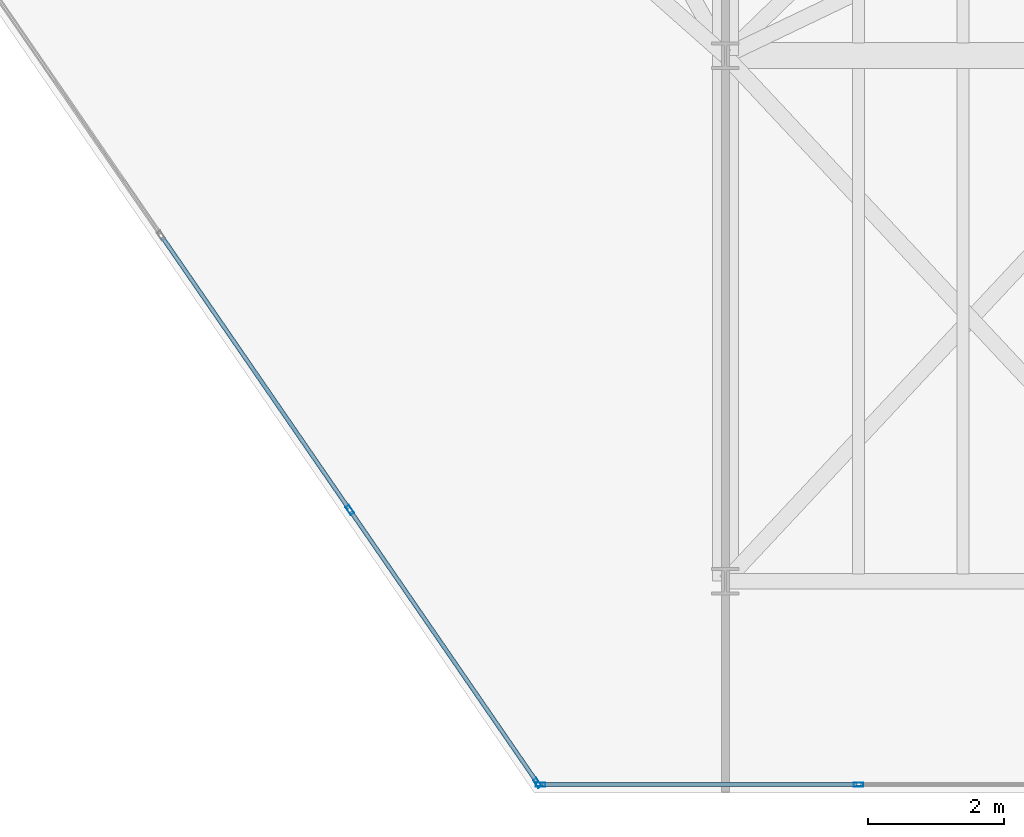
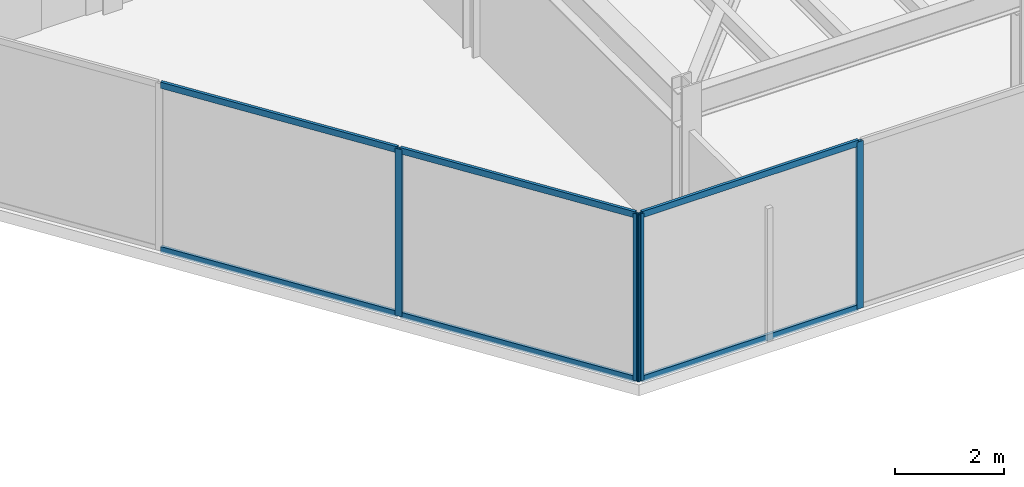
# One storey, part 10 of 21: 10 members, 2 elements without a shape of their own.
"""IFC4 building model written with IfcOpenShell, lengths in metres."""

from ifc_helpers import new_model, si_unit, direction, frame, origin, origin_2d, place, context, subcontext, project, spatial, hollow_rectangle, extrude, material, layer, layer_set, material_profile, profile_set, type_object, element, aggregate, save


model = new_model("IFC4")

# Units and contexts
model_context = context("Model", 3, precision=1e-05, world=origin(), true_north=direction((0.0, 1.0)))
body_context = subcontext(model_context, "Body", "Model", "MODEL_VIEW")
ifc_project = project(units=[si_unit("LENGTHUNIT", "METRE"), si_unit("AREAUNIT", "SQUARE_METRE"), si_unit("VOLUMEUNIT", "CUBIC_METRE"), si_unit("PLANEANGLEUNIT", "RADIAN"), si_unit("MASSUNIT", "GRAM", prefix="KILO")], contexts=[model_context])

# Site, building, storey
site_placement = place(None, origin())
site = spatial("IfcSite", under=ifc_project, at=site_placement, CompositionType="ELEMENT")
building_placement = place(site_placement, origin())
building = spatial("IfcBuilding", under=site, at=building_placement, Name="Kravanh Interchange Tower", CompositionType="ELEMENT")
storey_placement = place(building_placement, frame((0.0, 0.0, 208.5)))
storey = spatial("IfcBuildingStorey", under=building, at=storey_placement, Name="L50", CompositionType="ELEMENT", Elevation=208.5)

# Curtain wall, members
ifc_material_1 = material(Name="Anodised Bronze Aluminium", Category="aluminium")
ifc_layer = layer(ifc_material_1, 0.179931640625)
ifc_layer_set = layer_set([ifc_layer], Name="Unitised Curtain Wall System CW-Z3 Upper Office")
curtain_wall_type = type_object("IfcCurtainWallType", Name="Unitised Curtain Wall System CW-Z3 Upper Office", PredefinedType="NOTDEFINED", material=ifc_layer_set)
curtain_wall_1_placement = place(storey_placement, origin())
curtain_wall_1 = element("IfcCurtainWall", 1, at=curtain_wall_1_placement, inside=storey, type_object=curtain_wall_type, Name="L50 Unitised Curtain Wall CW-L50-02", PredefinedType="NOTDEFINED")
ifc_material_2 = material(Name="Anodised Bronze Aluminium", Category="aluminium")
ifc_material_profile_1 = material_profile(ifc_material_2, hollow_rectangle(XDim=0.06005859375, YDim=0.139892578125, WallThickness=0.00390625, at=origin_2d()), Name="ALU60X140X4")
ifc_profile_set_1 = profile_set([ifc_material_profile_1], Name="Anodised Bronze Aluminium")
member_type_1 = type_object("IfcMemberType", Name="Curtain Wall Mullion ALU60X140X4 Bronze", PredefinedType="MULLION", material=ifc_profile_set_1)
member_1_placement = place(storey_placement, frame((57.9521484375, 11.52001953125, 0.0), z_axis=(0.0, 0.0, 1.0), x_axis=(0.0, -1.0, 0.0)))
member_1 = element("IfcMember", 2, at=member_1_placement, type_object=member_type_1, Name="CW-Z3 mullion 2", PredefinedType="MULLION", context=body_context, shape_type="SweptSolid", body=[
    extrude(hollow_rectangle(XDim=0.06005859375, YDim=0.139892578125, WallThickness=0.00390625, at=origin_2d()), origin(), (0.0, 0.0, 1.0), 3.7548828125),
])
member_2_placement = place(storey_placement, frame((53.293212890625, 11.52001953125, 0.0), z_axis=(0.0, 0.0, 1.0), x_axis=(0.0, -1.0, 0.0)))
member_2 = element("IfcMember", 3, at=member_2_placement, type_object=member_type_1, Name="CW-Z3 mullion 3", PredefinedType="MULLION", context=body_context, shape_type="SweptSolid", body=[
    extrude(hollow_rectangle(XDim=0.06005859375, YDim=0.139892578125, WallThickness=0.00390625, at=origin_2d()), origin(), (0.0, 0.0, 1.0), 3.7548828125),
])

curtain_wall_2_placement = place(storey_placement, origin())
curtain_wall_2 = element("IfcCurtainWall", 4, at=curtain_wall_2_placement, inside=storey, type_object=curtain_wall_type, Name="L50 Unitised Curtain Wall CW-L50-03", PredefinedType="NOTDEFINED")
member_3_placement = place(storey_placement, frame((53.24609375, 11.544677734375, 0.0), z_axis=(0.0, 0.0, 1.0), x_axis=(-0.824042223035, -0.566528388217, 0.0)))
member_3 = element("IfcMember", 5, at=member_3_placement, type_object=member_type_1, Name="CW-Z3 mullion 1", PredefinedType="MULLION", context=body_context, shape_type="SweptSolid", body=[
    extrude(hollow_rectangle(XDim=0.06005859375, YDim=0.139892578125, WallThickness=0.00390625, at=origin_2d()), origin(), (0.0, 0.0, 1.0), 3.7548828125),
])
member_4_placement = place(storey_placement, frame((50.497314453125, 15.54296875, 0.0), z_axis=(0.0, 0.0, 1.0), x_axis=(-0.824042223035, -0.566528388217, 0.0)))
member_4 = element("IfcMember", 6, at=member_4_placement, type_object=member_type_1, Name="CW-Z3 mullion 2", PredefinedType="MULLION", context=body_context, shape_type="SweptSolid", body=[
    extrude(hollow_rectangle(XDim=0.06005859375, YDim=0.139892578125, WallThickness=0.00390625, at=origin_2d()), origin(), (0.0, 0.0, 1.0), 3.7548828125),
])

# Member
ifc_material_3 = material(Name="Anodised Bronze Aluminium", Category="aluminium")
ifc_material_profile_2 = material_profile(ifc_material_3, hollow_rectangle(XDim=0.06005859375, YDim=0.139892578125, WallThickness=0.00390625, at=origin_2d()), Name="ALU60X140X4")
ifc_profile_set_2 = profile_set([ifc_material_profile_2], Name="Anodised Bronze Aluminium")
member_type_2 = type_object("IfcMemberType", Name="Curtain Wall Transom ALU60X140X4 Bronze", PredefinedType="USERDEFINED", material=ifc_profile_set_2)
member_5_placement = place(storey_placement, frame((57.922119140625, 11.52001953125, 0.030029296875), z_axis=(-1.0, 0.0, 0.0), x_axis=(0.0, -1.0, 0.0)))
member_5 = element("IfcMember", 7, at=member_5_placement, type_object=member_type_2, Name="CW-Z3 transom 2.1", ObjectType="TRANSOM", PredefinedType="USERDEFINED", context=body_context, shape_type="SweptSolid", body=[
    extrude(hollow_rectangle(XDim=0.06005859375, YDim=0.139892578125, WallThickness=0.00390625, at=origin_2d()), origin(), (0.0, 0.0, 1.0), 4.59912109375),
])

member_6_placement = place(storey_placement, frame((57.922119140625, 11.52001953125, 3.72509765625), z_axis=(-1.0, 0.0, 0.0), x_axis=(0.0, -1.0, 0.0)))
member_6 = element("IfcMember", 8, at=member_6_placement, type_object=member_type_2, Name="CW-Z3 transom 2.2", ObjectType="TRANSOM", PredefinedType="USERDEFINED", context=body_context, shape_type="SweptSolid", body=[
    extrude(hollow_rectangle(XDim=0.06005859375, YDim=0.139892578125, WallThickness=0.00390625, at=origin_2d()), origin(), (0.0, 0.0, 1.0), 4.59912109375),
])

aggregate(curtain_wall_1, [member_1, member_2, member_5, member_6])

member_7_placement = place(storey_placement, frame((53.22900390625, 11.5693359375, 0.030029296875), z_axis=(-0.566483415384, 0.824073140016, 0.0), x_axis=(-0.824073140016, -0.566483415384, 0.0)))
member_7 = element("IfcMember", 9, at=member_7_placement, type_object=member_type_2, Name="CW-Z3 transom 1.1", ObjectType="TRANSOM", PredefinedType="USERDEFINED", context=body_context, shape_type="SweptSolid", body=[
    extrude(hollow_rectangle(XDim=0.06005859375, YDim=0.139892578125, WallThickness=0.00390625, at=origin_2d()), origin(), (0.0, 0.0, 1.0), 4.7919921875),
])

member_8_placement = place(storey_placement, frame((53.22900390625, 11.5693359375, 3.72509765625), z_axis=(-0.566483415384, 0.824073140016, 0.0), x_axis=(-0.824073140016, -0.566483415384, 0.0)))
member_8 = element("IfcMember", 10, at=member_8_placement, type_object=member_type_2, Name="CW-Z3 transom 1.2", ObjectType="TRANSOM", PredefinedType="USERDEFINED", context=body_context, shape_type="SweptSolid", body=[
    extrude(hollow_rectangle(XDim=0.06005859375, YDim=0.139892578125, WallThickness=0.00390625, at=origin_2d()), origin(), (0.0, 0.0, 1.0), 4.7919921875),
])

member_9_placement = place(storey_placement, frame((50.480224609375, 15.567626953125, 0.030029296875), z_axis=(-0.566503037389, 0.824059651135, 0.0), x_axis=(-0.824059651135, -0.566503037389, 0.0)))
member_9 = element("IfcMember", 11, at=member_9_placement, type_object=member_type_2, Name="CW-Z3 transom 2.1", ObjectType="TRANSOM", PredefinedType="USERDEFINED", context=body_context, shape_type="SweptSolid", body=[
    extrude(hollow_rectangle(XDim=0.06005859375, YDim=0.139892578125, WallThickness=0.00390625, at=origin_2d()), origin(), (0.0, 0.0, 1.0), 4.822021484375),
])

member_10_placement = place(storey_placement, frame((50.480224609375, 15.567626953125, 3.72509765625), z_axis=(-0.566503037389, 0.824059651135, 0.0), x_axis=(-0.824059651135, -0.566503037389, 0.0)))
member_10 = element("IfcMember", 12, at=member_10_placement, type_object=member_type_2, Name="CW-Z3 transom 2.2", ObjectType="TRANSOM", PredefinedType="USERDEFINED", context=body_context, shape_type="SweptSolid", body=[
    extrude(hollow_rectangle(XDim=0.06005859375, YDim=0.139892578125, WallThickness=0.00390625, at=origin_2d()), origin(), (0.0, 0.0, 1.0), 4.822021484375),
])

aggregate(curtain_wall_2, [member_3, member_4, member_7, member_8, member_9, member_10])

save(model, "model.ifc")
